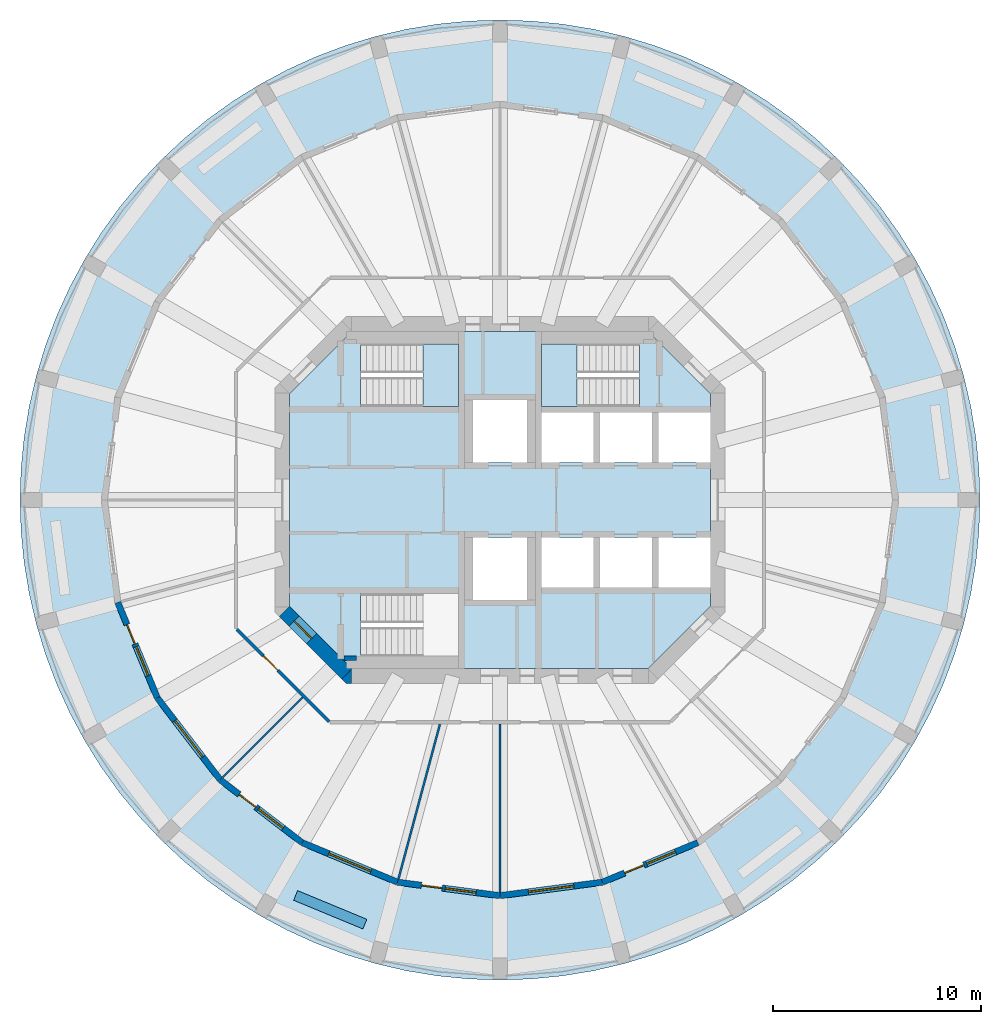
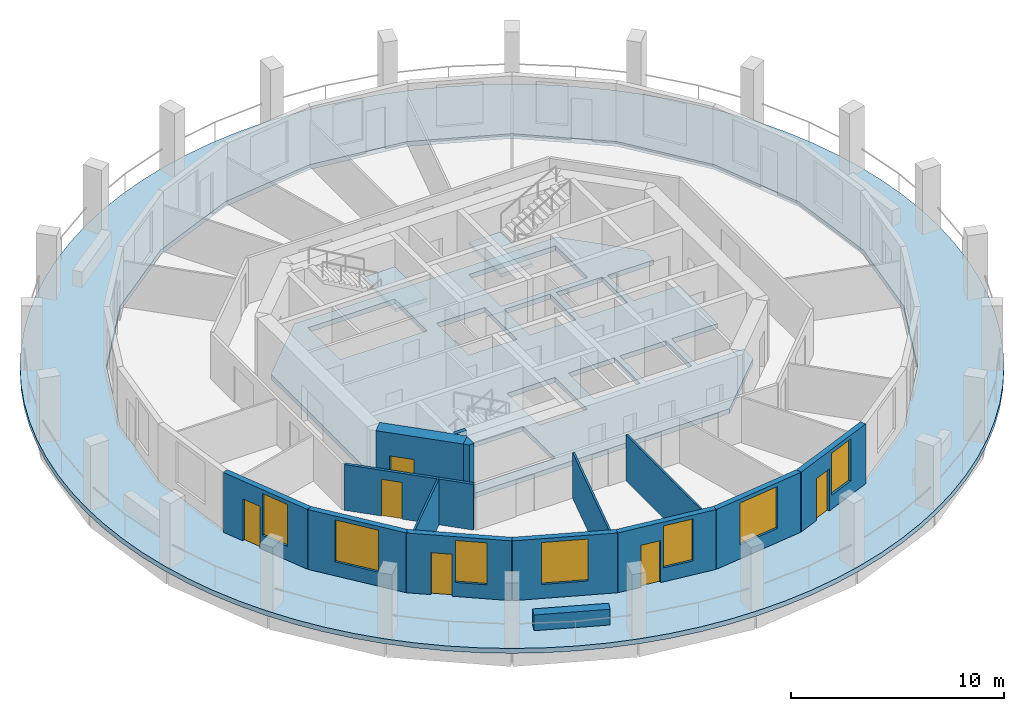
# One storey, part 2 of 9: 15 walls, 7 windows, 6 doors, 4 slabs, 13 openings, 2 elements without a shape of their own.
"""IFC4 building model written with IfcOpenShell, lengths in metres."""

from ifc_helpers import new_model, si_unit, direction, frame, frame_2d, origin, place, context, subcontext, project, spatial, polyline, rectangle, outline, extrude, material, layer, layer_set, type_object, element, fill, aggregate, save


model = new_model("IFC4")

# Units and contexts
model_context = context("Model", 3, precision=1e-05, world=origin(), true_north=direction((0.0, 1.0)))
body_context = subcontext(model_context, "Body", "Model", "MODEL_VIEW")
ifc_project = project(units=[si_unit("LENGTHUNIT", "METRE"), si_unit("AREAUNIT", "SQUARE_METRE"), si_unit("VOLUMEUNIT", "CUBIC_METRE"), si_unit("PLANEANGLEUNIT", "RADIAN"), si_unit("MASSUNIT", "GRAM", prefix="KILO")], contexts=[model_context])

# Site, building, storey
site_placement = place(None, origin())
site = spatial("IfcSite", under=ifc_project, at=site_placement, CompositionType="ELEMENT")
building_placement = place(site_placement, origin())
building = spatial("IfcBuilding", under=site, at=building_placement, Name="Torre Triforio", CompositionType="ELEMENT")
storey_placement = place(building_placement, frame((0.0, 0.0, 176.39990234375)))
storey = spatial("IfcBuildingStorey", under=building, at=storey_placement, Name="L40", CompositionType="ELEMENT", Elevation=176.39990234375)

# Slabs
ifc_material_1 = material(Name="Concrete C50", Category="concrete")
ifc_layer_1 = layer(ifc_material_1, 0.280029296875)
ifc_layer_set_1 = layer_set([ifc_layer_1], Name="Concrete C50")
slab_type_1 = type_object("IfcSlabType", Name="Core floor slab 280 mm C50 REI 120", PredefinedType="FLOOR", material=ifc_layer_set_1)
slab_1_placement = place(storey_placement, frame((0.0, 0.0, -0.27978515625)))
element("IfcSlab", 1, at=slab_1_placement, inside=storey, type_object=slab_type_1, Name="Core floor slab", PredefinedType="FLOOR", context=body_context, shape_type="SweptSolid", body=[
    extrude(outline(polyline([(10.10009765625, -5.10009765625), (7.10009765625, -8.10009765625), (-7.10009765625, -8.10009765625), (-10.10009765625, -5.10009765625), (-10.10009765625, 5.10009765625), (-7.10009765625, 8.10009765625), (7.10009765625, 8.10009765625), (10.10009765625, 5.10009765625), (10.10009765625, 4.199951171875), (7.60009765625, 4.199951171875), (7.60009765625, 1.800048828125), (10.10009765625, 1.800048828125), (10.10009765625, -1.800048828125), (7.60009765625, -1.800048828125), (7.60009765625, -4.199951171875), (10.10009765625, -4.199951171875), (10.10009765625, -5.10009765625)]), holes=[polyline([(-6.696044921875, -4.5), (-6.696044921875, -7.5), (-2.0, -7.5), (-2.0, -4.5), (-6.696044921875, -4.5)]), polyline([(-1.300048828125, -1.800048828125), (-1.300048828125, -4.800048828125), (1.300048828125, -4.800048828125), (1.300048828125, -1.800048828125), (-1.300048828125, -1.800048828125)]), polyline([(2.0, -1.800048828125), (2.0, -4.199951171875), (4.5, -4.199951171875), (4.5, -1.800048828125), (2.0, -1.800048828125)]), polyline([(4.5, 4.199951171875), (2.0, 4.199951171875), (2.0, 1.800048828125), (4.5, 1.800048828125), (4.5, 4.199951171875)]), polyline([(1.300048828125, 4.800048828125), (-1.300048828125, 4.800048828125), (-1.300048828125, 1.800048828125), (1.300048828125, 1.800048828125), (1.300048828125, 4.800048828125)]), polyline([(-6.696044921875, 7.5), (-6.696044921875, 4.5), (-2.0, 4.5), (-2.0, 7.5), (-6.696044921875, 7.5)]), polyline([(7.300048828125, -1.800048828125), (4.800048828125, -1.800048828125), (4.800048828125, -4.199951171875), (7.300048828125, -4.199951171875), (7.300048828125, -1.800048828125)]), polyline([(4.800048828125, 4.199951171875), (4.800048828125, 1.800048828125), (7.300048828125, 1.800048828125), (7.300048828125, 4.199951171875), (4.800048828125, 4.199951171875)]), polyline([(6.696044921875, 7.5), (2.0, 7.5), (2.0, 4.5), (6.696044921875, 4.5), (6.696044921875, 7.5)])]), origin(), (0.0, 0.0, 1.0), 0.27978515625),
])
ifc_material_2 = material(Name="Concrete C40", Category="concrete")
ifc_layer_2 = layer(ifc_material_2, 0.280029296875)
ifc_layer_set_2 = layer_set([ifc_layer_2], Name="Concrete C40")
slab_type_2 = type_object("IfcSlabType", Name="Loggia slab 280 C40", PredefinedType="FLOOR", material=ifc_layer_set_2)
slab_2_placement = place(storey_placement, frame((0.0, 0.0, -0.27978515625)))
element("IfcSlab", 2, at=slab_2_placement, inside=storey, type_object=slab_type_2, Name="SL.L40.LG", PredefinedType="FLOOR", context=body_context, shape_type="SweptSolid", body=[
    extrude(outline(polyline([(23.000732421875, -1.507568359375), (23.050048828125, 0.0), (23.000732421875, 1.507568359375), (22.852783203125, 3.008544921875), (22.607177734375, 4.496826171875), (22.2646484375, 5.9658203125), (21.82666015625, 7.4091796875), (21.29541015625, 8.82080078125), (20.6728515625, 10.19482421875), (19.9619140625, 11.52490234375), (19.165283203125, 12.805908203125), (18.286865234375, 14.031982421875), (17.329833984375, 15.197998046875), (16.298828125, 16.298828125), (15.197998046875, 17.329833984375), (14.031982421875, 18.286865234375), (12.805908203125, 19.165283203125), (11.52490234375, 19.9619140625), (10.19482421875, 20.6728515625), (8.82080078125, 21.29541015625), (7.4091796875, 21.82666015625), (5.9658203125, 22.2646484375), (4.496826171875, 22.607177734375), (3.008544921875, 22.852783203125), (1.507568359375, 23.000732421875), (0.0, 23.050048828125), (-1.507568359375, 23.000732421875), (-3.008544921875, 22.852783203125), (-4.496826171875, 22.607177734375), (-5.9658203125, 22.2646484375), (-7.4091796875, 21.82666015625), (-8.82080078125, 21.29541015625), (-10.19482421875, 20.6728515625), (-11.52490234375, 19.9619140625), (-12.805908203125, 19.165283203125), (-14.031982421875, 18.286865234375), (-15.197998046875, 17.329833984375), (-16.298828125, 16.298828125), (-17.329833984375, 15.197998046875), (-18.286865234375, 14.031982421875), (-19.165283203125, 12.805908203125), (-19.9619140625, 11.52490234375), (-20.6728515625, 10.19482421875), (-21.29541015625, 8.82080078125), (-21.82666015625, 7.4091796875), (-22.2646484375, 5.9658203125), (-22.607177734375, 4.496826171875), (-22.852783203125, 3.008544921875), (-23.000732421875, 1.507568359375), (-23.050048828125, 0.0), (-23.000732421875, -1.507568359375), (-22.852783203125, -3.008544921875), (-22.607177734375, -4.496826171875), (-22.2646484375, -5.9658203125), (-21.82666015625, -7.4091796875), (-21.29541015625, -8.82080078125), (-20.6728515625, -10.19482421875), (-19.9619140625, -11.52490234375), (-19.165283203125, -12.805908203125), (-18.286865234375, -14.031982421875), (-17.329833984375, -15.197998046875), (-16.298828125, -16.298828125), (-15.197998046875, -17.329833984375), (-14.031982421875, -18.286865234375), (-12.805908203125, -19.165283203125), (-11.52490234375, -19.9619140625), (-10.19482421875, -20.6728515625), (-8.82080078125, -21.29541015625), (-7.4091796875, -21.82666015625), (-5.9658203125, -22.2646484375), (-4.496826171875, -22.607177734375), (-3.008544921875, -22.852783203125), (-1.507568359375, -23.000732421875), (0.0, -23.050048828125), (1.507568359375, -23.000732421875), (3.008544921875, -22.852783203125), (4.496826171875, -22.607177734375), (5.9658203125, -22.2646484375), (7.4091796875, -21.82666015625), (8.82080078125, -21.29541015625), (10.19482421875, -20.6728515625), (11.52490234375, -19.9619140625), (12.805908203125, -19.165283203125), (14.031982421875, -18.286865234375), (15.197998046875, -17.329833984375), (16.298828125, -16.298828125), (17.329833984375, -15.197998046875), (18.286865234375, -14.031982421875), (19.165283203125, -12.805908203125), (19.9619140625, -11.52490234375), (20.6728515625, -10.19482421875), (21.29541015625, -8.82080078125), (21.82666015625, -7.4091796875), (22.2646484375, -5.9658203125), (22.607177734375, -4.496826171875), (22.852783203125, -3.008544921875), (23.000732421875, -1.507568359375)]), holes=[polyline([(18.3525390625, 4.91748046875), (19.0, 0.0), (18.3525390625, -4.91748046875), (16.45458984375, -9.5), (13.43505859375, -13.43505859375), (9.5, -16.45458984375), (4.91748046875, -18.3525390625), (0.0, -19.0), (-4.91748046875, -18.3525390625), (-9.5, -16.45458984375), (-13.43505859375, -13.43505859375), (-16.45458984375, -9.5), (-18.3525390625, -4.91748046875), (-19.0, 0.0), (-18.3525390625, 4.91748046875), (-16.45458984375, 9.5), (-13.43505859375, 13.43505859375), (-9.5, 16.45458984375), (-4.91748046875, 18.3525390625), (0.0, 19.0), (4.91748046875, 18.3525390625), (9.5, 16.45458984375), (13.43505859375, 13.43505859375), (16.45458984375, 9.5), (18.3525390625, 4.91748046875)])]), origin(), (0.0, 0.0, 1.0), 0.27978515625),
])

# Stair, slab
stair_type = type_object("IfcStairType", Name="STAIR HALF-TURN", PredefinedType="HALF_TURN_STAIR", material=ifc_material_2)
stair_1_placement = place(storey_placement, origin())
stair_1 = element("IfcStair", 3, at=stair_1_placement, inside=storey, type_object=stair_type, Name="Exit stair 1", PredefinedType="HALF_TURN_STAIR")
ifc_layer_3 = layer(ifc_material_2, 0.199951171875)
ifc_layer_set_3 = layer_set([ifc_layer_3], Name="Concrete C40")
slab_type_3 = type_object("IfcSlabType", Name="STAIR LANDING 200", PredefinedType="LANDING", material=ifc_layer_set_3)
slab_3_placement = place(storey_placement, frame((0.0, 0.0, 1.650146484375)))
slab_3 = element("IfcSlab", 4, at=slab_3_placement, type_object=slab_type_3, Name="ST1 landing 1", PredefinedType="LANDING", context=body_context, shape_type="SweptSolid", body=[
    extrude(outline(polyline([(-2.0, 4.5), (-2.0, 7.5), (-3.699951171875, 7.5), (-3.699951171875, 4.5), (-2.0, 4.5)])), origin(), (0.0, 0.0, 1.0), 0.199951171875),
])
aggregate(stair_1, [slab_3])

stair_2_placement = place(storey_placement, origin())
stair_2 = element("IfcStair", 5, at=stair_2_placement, inside=storey, type_object=stair_type, Name="Exit stair 2", PredefinedType="HALF_TURN_STAIR")
slab_4_placement = place(storey_placement, frame((0.0, 0.0, 1.650146484375)))
slab_4 = element("IfcSlab", 6, at=slab_4_placement, type_object=slab_type_3, Name="ST2 landing 1", PredefinedType="LANDING", context=body_context, shape_type="SweptSolid", body=[
    extrude(outline(polyline([(3.699951171875, 4.5), (3.699951171875, 7.5), (2.0, 7.5), (2.0, 4.5), (3.699951171875, 4.5)])), origin(), (0.0, 0.0, 1.0), 0.199951171875),
])
aggregate(stair_2, [slab_4])

# Wall, opening, door
ifc_layer_4 = layer(ifc_material_1, 0.699951171875)
ifc_layer_set_4 = layer_set([ifc_layer_4], Name="Concrete C50")
wall_type_1 = type_object("IfcWallType", Name="Core wall 700 mm C50 EI 120", PredefinedType="SHEAR", material=ifc_layer_set_4)
wall_1_placement = place(storey_placement, frame((-7.347412109375, -8.347412109375, -0.27978515625), z_axis=(0.0, 0.0, 1.0), x_axis=(-0.707106781187, 0.707106781187, 0.0)))
wall_1 = element("IfcWall", 7, at=wall_1_placement, inside=storey, type_object=wall_type_1, Name="Core wall", PredefinedType="SHEAR", context=body_context, shape_type="SweptSolid", body=[
    extrude(rectangle(XDim=4.24267578125, YDim=0.699951171875, at=frame_2d((2.121337890625, 0.0))), origin(), (0.0, 0.0, 1.0), 3.699951171875),
])
opening_1_placement = place(wall_1_placement, frame((2.392578125, 0.0, 0.280029296875)))
opening_1 = element("IfcOpeningElement", 8, at=opening_1_placement, cuts=wall_1, Name="Opening ST3-EXIT", PredefinedType="OPENING", context=body_context, shape_type="SweptSolid", body=[
    extrude(rectangle(XDim=1.199951171875, YDim=2.10009765625, at=frame_2d((0.60009765625, 1.050048828125))), frame((0.0, 0.35986328125, 0.0), z_axis=(0.0, -1.0, 0.0), x_axis=(1.0, 0.0, 0.0)), (0.0, 0.0, 1.0), 0.719970703125),
])
ifc_material_3 = material(Name="Hollow metal fire door leaf")
door_type_1 = type_object("IfcDoorType", Name="Stair lobby door 1200 x 2100 EI 60", OperationType="NOTDEFINED", PredefinedType="DOOR", material=ifc_material_3)
door_1_placement = place(opening_1_placement, origin())
door_1 = element("IfcDoor", 9, at=door_1_placement, inside=storey, type_object=door_type_1, Name="Core door ST3-EXIT", OperationType="SINGLE_SWING_RIGHT", OverallHeight=2.10009765625, OverallWidth=1.199951171875, PredefinedType="DOOR", context=body_context, shape_type="SweptSolid", body=[
    extrude(rectangle(XDim=1.199951171875, YDim=2.10009765625, at=frame_2d((0.60009765625, 1.050048828125))), frame((0.0, 0.02490234375, 0.0), z_axis=(0.0, -1.0, 0.0), x_axis=(1.0, 0.0, 0.0)), (0.0, 0.0, 1.0), 0.050048828125),
])
fill(opening_1, door_1)

# Wall
wall_2_placement = place(storey_placement, frame((0.0, 0.0, -0.27978515625)))
element("IfcWall", 10, at=wall_2_placement, inside=storey, type_object=wall_type_1, Name="Core wall", PredefinedType="SHEAR", context=body_context, shape_type="SweptSolid", body=[
    extrude(outline(polyline([(-7.389892578125, -8.800048828125), (-7.594970703125, -8.594970703125), (-7.594970703125, -8.594970703125), (-7.594970703125, -8.594970703125), (-7.1298828125, -8.1298828125), (-7.1298828125, -8.800048828125), (-7.1298828125, -8.800048828125), (-7.389892578125, -8.800048828125)])), origin(), (0.0, 0.0, 1.0), 3.699951171875),
])

# Wall, opening, door
ifc_material_4 = material(Name="Plasterboard on metal studs")
ifc_layer_5 = layer(ifc_material_4, 0.14990234375)
ifc_layer_set_5 = layer_set([ifc_layer_5], Name="Plasterboard on metal studs")
wall_type_2 = type_object("IfcWallType", Name="Corridor and tenancy wall 150 mm EI 60", PredefinedType="PARTITIONING", material=ifc_layer_set_5)
wall_3_placement = place(storey_placement, frame((-8.20361328125, -10.637939453125, 0.0), z_axis=(0.0, 0.0, 1.0), x_axis=(-0.707106781187, 0.707106781187, 0.0)))
wall_3 = element("IfcWall", 11, at=wall_3_placement, inside=storey, type_object=wall_type_2, Name="Partition 3", PredefinedType="PARTITIONING", context=body_context, shape_type="SweptSolid", body=[
    extrude(rectangle(XDim=6.27099609375, YDim=0.14990234375, at=frame_2d((3.135498046875, 0.0))), origin(), (0.0, 0.0, 1.0), 2.6201171875),
])
opening_2_placement = place(wall_3_placement, frame((3.470947265625, 0.0, 0.0)))
opening_2 = element("IfcOpeningElement", 12, at=opening_2_placement, cuts=wall_3, Name="Opening O3-03", PredefinedType="OPENING", context=body_context, shape_type="SweptSolid", body=[
    extrude(rectangle(XDim=1.0, YDim=2.10009765625, at=frame_2d((0.5, 1.050048828125))), frame((0.0, 0.0849609375, 0.0), z_axis=(0.0, -1.0, 0.0), x_axis=(1.0, 0.0, 0.0)), (0.0, 0.0, 1.0), 0.169921875),
])
ifc_material_5 = material(Name="Timber", Category="wood")
door_type_2 = type_object("IfcDoorType", Name="Door 1000 x 2100 single leaf EI 30", OperationType="NOTDEFINED", PredefinedType="DOOR", material=ifc_material_5)
door_2_placement = place(opening_2_placement, origin())
door_2 = element("IfcDoor", 13, at=door_2_placement, inside=storey, type_object=door_type_2, Name="Door O3-03", OperationType="SINGLE_SWING_RIGHT", OverallHeight=2.10009765625, OverallWidth=1.0, PredefinedType="DOOR", context=body_context, shape_type="SweptSolid", body=[
    extrude(rectangle(XDim=1.0, YDim=2.10009765625, at=frame_2d((0.5, 1.050048828125))), frame((0.0, 0.02490234375, 0.0), z_axis=(0.0, -1.0, 0.0), x_axis=(1.0, 0.0, 0.0)), (0.0, 0.0, 1.0), 0.050048828125),
])
fill(opening_2, door_2)

# Walls
ifc_layer_6 = layer(ifc_material_4, 0.10009765625)
ifc_layer_set_6 = layer_set([ifc_layer_6], Name="Plasterboard on metal studs")
wall_type_3 = type_object("IfcWallType", Name="Partition 100 mm board on metal studs", PredefinedType="PARTITIONING", material=ifc_layer_set_6)
wall_4_placement = place(storey_placement, frame((-9.473876953125, -9.473876953125, 0.0), z_axis=(0.0, 0.0, 1.0), x_axis=(-0.707106781187, -0.707106781187, 0.0)))
element("IfcWall", 14, at=wall_4_placement, inside=storey, type_object=wall_type_3, Name="Partition 17", PredefinedType="PARTITIONING", context=body_context, shape_type="SweptSolid", body=[
    extrude(rectangle(XDim=5.438720703125, YDim=0.10009765625, at=frame_2d((2.71923828125, 0.0))), origin(), (0.0, 0.0, 1.0), 2.6201171875),
])
wall_5_placement = place(storey_placement, frame((-2.88427734375, -10.764404296875, 0.0), z_axis=(0.0, 0.0, 1.0), x_axis=(-0.25881804804, -0.965926093451, 0.0)))
element("IfcWall", 15, at=wall_5_placement, inside=storey, type_object=wall_type_3, Name="Partition 18", PredefinedType="PARTITIONING", context=body_context, shape_type="SweptSolid", body=[
    extrude(rectangle(XDim=7.692626953125, YDim=0.10009765625, at=frame_2d((3.84619140625, 0.0))), origin(), (0.0, 0.0, 1.0), 2.6201171875),
])
wall_6_placement = place(storey_placement, frame((0.0, -10.75, 0.0), z_axis=(0.0, 0.0, 1.0), x_axis=(0.0, -1.0, 0.0)))
element("IfcWall", 16, at=wall_6_placement, inside=storey, type_object=wall_type_3, Name="Partition 19", PredefinedType="PARTITIONING", context=body_context, shape_type="SweptSolid", body=[
    extrude(rectangle(XDim=8.086669921875, YDim=0.10009765625, at=frame_2d((4.04345703125, 0.0))), origin(), (0.0, 0.0, 1.0), 2.6201171875),
])
ifc_material_6 = material(Name="Limestone cladding", Category="masonry")
ifc_layer_7 = layer(ifc_material_6, 0.10009765625)
ifc_layer_8 = layer(ifc_material_2, 0.39990234375)
ifc_layer_set_7 = layer_set([ifc_layer_7, ifc_layer_8], Name="Limestone cladding / Concrete C40")
wall_type_4 = type_object("IfcWallType", Name="Planter wall 500", PredefinedType="PARAPET", material=ifc_layer_set_7)
wall_7_placement = place(storey_placement, frame((-9.814208984375, -18.98974609375, 0.0), z_axis=(0.0, 0.0, 1.0), x_axis=(0.923875488976, -0.382693194178, 0.0)))
element("IfcWall", 17, at=wall_7_placement, inside=storey, type_object=wall_type_4, Name="Planter L40 bay 17", PredefinedType="PARAPET", context=body_context, shape_type="SweptSolid", body=[
    extrude(rectangle(XDim=3.599853515625, YDim=0.5, at=frame_2d((1.7998046875, 0.0))), origin(), (0.0, 0.0, 1.0), 0.900146484375),
])
ifc_layer_9 = layer(ifc_material_1, 0.199951171875)
ifc_layer_set_8 = layer_set([ifc_layer_9], Name="Concrete C50")
wall_type_5 = type_object("IfcWallType", Name="Stair wall 200 mm C50 EI 120", PredefinedType="SHEAR", material=ifc_layer_set_8)
wall_8_placement = place(storey_placement, frame((-7.5, -7.60009765625, 0.0), z_axis=(0.0, 0.0, 1.0), x_axis=(1.0, 0.0, 0.0)))
element("IfcWall", 18, at=wall_8_placement, inside=storey, type_object=wall_type_5, Name="Stair wall", PredefinedType="SHEAR", context=body_context, shape_type="SweptSolid", body=[
    extrude(rectangle(XDim=0.60009765625, YDim=0.199951171875, at=frame_2d((0.300048828125, 0.0))), origin(), (0.0, 0.0, 1.0), 3.420166015625),
])

# Wall, openings, door, window
ifc_layer_10 = layer(ifc_material_6, 0.10009765625)
ifc_layer_11 = layer(ifc_material_2, 0.199951171875)
ifc_layer_set_9 = layer_set([ifc_layer_10, ifc_layer_11], Name="Limestone cladding / Concrete C40")
wall_type_6 = type_object("IfcWallType", Name="Stone-faced composite wall 300", PredefinedType="STANDARD", material=ifc_layer_set_9)
wall_9_placement = place(storey_placement, frame((-18.3525390625, -4.91748046875, 0.0), z_axis=(0.0, 0.0, 1.0), x_axis=(0.382650301762, -0.923893254961, 0.0)))
wall_9 = element("IfcWall", 19, at=wall_9_placement, inside=storey, type_object=wall_type_6, Name="External wall L40 bay 14", PredefinedType="STANDARD", context=body_context, shape_type="SweptSolid", body=[
    extrude(rectangle(XDim=4.9599609375, YDim=0.300048828125, at=frame_2d((2.47998046875, 0.0))), origin(), (0.0, 0.0, 1.0), 3.420166015625),
])
opening_3_placement = place(wall_9_placement, frame((1.155029296875, 0.0, 0.0)))
opening_3 = element("IfcOpeningElement", 20, at=opening_3_placement, cuts=wall_9, Name="Opening O3-D14", PredefinedType="OPENING", context=body_context, shape_type="SweptSolid", body=[
    extrude(rectangle(XDim=1.0, YDim=2.39990234375, at=frame_2d((0.5, 1.199951171875))), frame((0.0, 0.159912109375, 0.0), z_axis=(0.0, -1.0, 0.0), x_axis=(1.0, 0.0, 0.0)), (0.0, 0.0, 1.0), 0.320068359375),
])
opening_4_placement = place(wall_9_placement, frame((2.304931640625, 0.0, 0.800048828125)))
opening_4 = element("IfcOpeningElement", 21, at=opening_4_placement, cuts=wall_9, Name="Opening O3-W14A", PredefinedType="OPENING", context=body_context, shape_type="SweptSolid", body=[
    extrude(rectangle(XDim=1.5, YDim=2.39990234375, at=frame_2d((0.75, 1.199951171875))), frame((0.0, 0.159912109375, 0.0), z_axis=(0.0, -1.0, 0.0), x_axis=(1.0, 0.0, 0.0)), (0.0, 0.0, 1.0), 0.320068359375),
])
ifc_material_7 = material(Name="Aluminium frame with clear double glazing", Category="aluminium")
door_type_3 = type_object("IfcDoorType", Name="Loggia door 1000 x 2400", OperationType="NOTDEFINED", PredefinedType="DOOR", material=ifc_material_7)
door_3_placement = place(opening_3_placement, origin())
door_3 = element("IfcDoor", 22, at=door_3_placement, inside=storey, type_object=door_type_3, Name="Loggia door L40 bay 14", OperationType="SINGLE_SWING_LEFT", OverallHeight=2.39990234375, OverallWidth=1.0, PredefinedType="DOOR", context=body_context, shape_type="SweptSolid", body=[
    extrude(rectangle(XDim=1.0, YDim=2.39990234375, at=frame_2d((0.5, 1.199951171875))), frame((0.0, 0.02490234375, 0.0), z_axis=(0.0, -1.0, 0.0), x_axis=(1.0, 0.0, 0.0)), (0.0, 0.0, 1.0), 0.050048828125),
])
fill(opening_3, door_3)
window_type_1 = type_object("IfcWindowType", Name="Side window 1500 x 2400", PartitioningType="SINGLE_PANEL", PredefinedType="WINDOW", material=ifc_material_7)
window_1_placement = place(opening_4_placement, origin())
window_1 = element("IfcWindow", 23, at=window_1_placement, inside=storey, type_object=window_type_1, Name="Side window EWN14 L40 bay 14", OverallHeight=2.39990234375, OverallWidth=1.5, PartitioningType="SINGLE_PANEL", PredefinedType="WINDOW", context=body_context, shape_type="SweptSolid", body=[
    extrude(rectangle(XDim=1.5, YDim=2.39990234375, at=frame_2d((0.75, 1.199951171875))), frame((0.0, 0.030029296875, 0.0), z_axis=(0.0, -1.0, 0.0), x_axis=(1.0, 0.0, 0.0)), (0.0, 0.0, 1.0), 0.06005859375),
])
fill(opening_4, window_1)

# Wall, opening, window
wall_10_placement = place(storey_placement, frame((-16.45458984375, -9.5, 0.0), z_axis=(0.0, 0.0, 1.0), x_axis=(0.608768356425, -0.793348024649, 0.0)))
wall_10 = element("IfcWall", 24, at=wall_10_placement, inside=storey, type_object=wall_type_6, Name="External wall L40 bay 15", PredefinedType="STANDARD", context=body_context, shape_type="SweptSolid", body=[
    extrude(rectangle(XDim=4.9599609375, YDim=0.300048828125, at=frame_2d((2.47998046875, 0.0))), origin(), (0.0, 0.0, 1.0), 3.420166015625),
])
opening_5_placement = place(wall_10_placement, frame((1.3798828125, 0.0, 0.800048828125)))
opening_5 = element("IfcOpeningElement", 25, at=opening_5_placement, cuts=wall_10, Name="Opening O3-W15", PredefinedType="OPENING", context=body_context, shape_type="SweptSolid", body=[
    extrude(rectangle(XDim=2.199951171875, YDim=2.39990234375, at=frame_2d((1.10009765625, 1.199951171875))), frame((0.0, 0.159912109375, 0.0), z_axis=(0.0, -1.0, 0.0), x_axis=(1.0, 0.0, 0.0)), (0.0, 0.0, 1.0), 0.320068359375),
])
window_type_2 = type_object("IfcWindowType", Name="Punched window 2200 x 2400", PartitioningType="DOUBLE_PANEL_VERTICAL", PredefinedType="WINDOW", material=ifc_material_7)
window_2_placement = place(opening_5_placement, origin())
window_2 = element("IfcWindow", 26, at=window_2_placement, inside=storey, type_object=window_type_2, Name="Window EWN5 L40 bay 15", OverallHeight=2.39990234375, OverallWidth=2.199951171875, PartitioningType="SINGLE_PANEL", PredefinedType="WINDOW", context=body_context, shape_type="SweptSolid", body=[
    extrude(rectangle(XDim=2.199951171875, YDim=2.39990234375, at=frame_2d((1.10009765625, 1.199951171875))), frame((0.0, 0.030029296875, 0.0), z_axis=(0.0, -1.0, 0.0), x_axis=(1.0, 0.0, 0.0)), (0.0, 0.0, 1.0), 0.06005859375),
])
fill(opening_5, window_2)

# Wall, openings, door, window
wall_11_placement = place(storey_placement, frame((-13.43505859375, -13.43505859375, 0.0), z_axis=(0.0, 0.0, 1.0), x_axis=(0.793348024649, -0.608768356425, 0.0)))
wall_11 = element("IfcWall", 27, at=wall_11_placement, inside=storey, type_object=wall_type_6, Name="External wall L40 bay 16", PredefinedType="STANDARD", context=body_context, shape_type="SweptSolid", body=[
    extrude(rectangle(XDim=4.9599609375, YDim=0.300048828125, at=frame_2d((2.47998046875, 0.0))), origin(), (0.0, 0.0, 1.0), 3.420166015625),
])
opening_6_placement = place(wall_11_placement, frame((1.155029296875, 0.0, 0.0)))
opening_6 = element("IfcOpeningElement", 28, at=opening_6_placement, cuts=wall_11, Name="Opening O3-D16", PredefinedType="OPENING", context=body_context, shape_type="SweptSolid", body=[
    extrude(rectangle(XDim=1.0, YDim=2.39990234375, at=frame_2d((0.5, 1.199951171875))), frame((0.0, 0.159912109375, 0.0), z_axis=(0.0, -1.0, 0.0), x_axis=(1.0, 0.0, 0.0)), (0.0, 0.0, 1.0), 0.320068359375),
])
opening_7_placement = place(wall_11_placement, frame((2.304931640625, 0.0, 0.800048828125)))
opening_7 = element("IfcOpeningElement", 29, at=opening_7_placement, cuts=wall_11, Name="Opening O3-W16A", PredefinedType="OPENING", context=body_context, shape_type="SweptSolid", body=[
    extrude(rectangle(XDim=1.5, YDim=2.39990234375, at=frame_2d((0.75, 1.199951171875))), frame((0.0, 0.159912109375, 0.0), z_axis=(0.0, -1.0, 0.0), x_axis=(1.0, 0.0, 0.0)), (0.0, 0.0, 1.0), 0.320068359375),
])
door_4_placement = place(opening_6_placement, origin())
door_4 = element("IfcDoor", 30, at=door_4_placement, inside=storey, type_object=door_type_3, Name="Loggia door L40 bay 16", OperationType="SINGLE_SWING_LEFT", OverallHeight=2.39990234375, OverallWidth=1.0, PredefinedType="DOOR", context=body_context, shape_type="SweptSolid", body=[
    extrude(rectangle(XDim=1.0, YDim=2.39990234375, at=frame_2d((0.5, 1.199951171875))), frame((0.0, 0.02490234375, 0.0), z_axis=(0.0, -1.0, 0.0), x_axis=(1.0, 0.0, 0.0)), (0.0, 0.0, 1.0), 0.050048828125),
])
fill(opening_6, door_4)
window_3_placement = place(opening_7_placement, origin())
window_3 = element("IfcWindow", 31, at=window_3_placement, inside=storey, type_object=window_type_1, Name="Side window EWN14 L40 bay 16", OverallHeight=2.39990234375, OverallWidth=1.5, PartitioningType="SINGLE_PANEL", PredefinedType="WINDOW", context=body_context, shape_type="SweptSolid", body=[
    extrude(rectangle(XDim=1.5, YDim=2.39990234375, at=frame_2d((0.75, 1.199951171875))), frame((0.0, 0.030029296875, 0.0), z_axis=(0.0, -1.0, 0.0), x_axis=(1.0, 0.0, 0.0)), (0.0, 0.0, 1.0), 0.06005859375),
])
fill(opening_7, window_3)

# Wall, opening, window
wall_12_placement = place(storey_placement, frame((-9.5, -16.45458984375, 0.0), z_axis=(0.0, 0.0, 1.0), x_axis=(0.923893254961, -0.382650301762, 0.0)))
wall_12 = element("IfcWall", 32, at=wall_12_placement, inside=storey, type_object=wall_type_6, Name="External wall L40 bay 17", PredefinedType="STANDARD", context=body_context, shape_type="SweptSolid", body=[
    extrude(rectangle(XDim=4.9599609375, YDim=0.300048828125, at=frame_2d((2.47998046875, 0.0))), origin(), (0.0, 0.0, 1.0), 3.420166015625),
])
opening_8_placement = place(wall_12_placement, frame((1.3798828125, 0.0, 0.800048828125)))
opening_8 = element("IfcOpeningElement", 33, at=opening_8_placement, cuts=wall_12, Name="Opening O3-W17", PredefinedType="OPENING", context=body_context, shape_type="SweptSolid", body=[
    extrude(rectangle(XDim=2.199951171875, YDim=2.39990234375, at=frame_2d((1.10009765625, 1.199951171875))), frame((0.0, 0.159912109375, 0.0), z_axis=(0.0, -1.0, 0.0), x_axis=(1.0, 0.0, 0.0)), (0.0, 0.0, 1.0), 0.320068359375),
])
window_4_placement = place(opening_8_placement, origin())
window_4 = element("IfcWindow", 34, at=window_4_placement, inside=storey, type_object=window_type_2, Name="Window EWN5 L40 bay 17", OverallHeight=2.39990234375, OverallWidth=2.199951171875, PartitioningType="SINGLE_PANEL", PredefinedType="WINDOW", context=body_context, shape_type="SweptSolid", body=[
    extrude(rectangle(XDim=2.199951171875, YDim=2.39990234375, at=frame_2d((1.10009765625, 1.199951171875))), frame((0.0, 0.030029296875, 0.0), z_axis=(0.0, -1.0, 0.0), x_axis=(1.0, 0.0, 0.0)), (0.0, 0.0, 1.0), 0.06005859375),
])
fill(opening_8, window_4)

# Wall, openings, door, window
wall_13_placement = place(storey_placement, frame((-4.91748046875, -18.3525390625, 0.0), z_axis=(0.0, 0.0, 1.0), x_axis=(0.991443234469, -0.130538549191, 0.0)))
wall_13 = element("IfcWall", 35, at=wall_13_placement, inside=storey, type_object=wall_type_6, Name="External wall L40 bay 18", PredefinedType="STANDARD", context=body_context, shape_type="SweptSolid", body=[
    extrude(rectangle(XDim=4.9599609375, YDim=0.300048828125, at=frame_2d((2.47998046875, 0.0))), origin(), (0.0, 0.0, 1.0), 3.420166015625),
])
opening_9_placement = place(wall_13_placement, frame((1.155029296875, 0.0, 0.0)))
opening_9 = element("IfcOpeningElement", 36, at=opening_9_placement, cuts=wall_13, Name="Opening O3-D18", PredefinedType="OPENING", context=body_context, shape_type="SweptSolid", body=[
    extrude(rectangle(XDim=1.0, YDim=2.39990234375, at=frame_2d((0.5, 1.199951171875))), frame((0.0, 0.159912109375, 0.0), z_axis=(0.0, -1.0, 0.0), x_axis=(1.0, 0.0, 0.0)), (0.0, 0.0, 1.0), 0.320068359375),
])
opening_10_placement = place(wall_13_placement, frame((2.304931640625, 0.0, 0.800048828125)))
opening_10 = element("IfcOpeningElement", 37, at=opening_10_placement, cuts=wall_13, Name="Opening O3-W18A", PredefinedType="OPENING", context=body_context, shape_type="SweptSolid", body=[
    extrude(rectangle(XDim=1.5, YDim=2.39990234375, at=frame_2d((0.75, 1.199951171875))), frame((0.0, 0.159912109375, 0.0), z_axis=(0.0, -1.0, 0.0), x_axis=(1.0, 0.0, 0.0)), (0.0, 0.0, 1.0), 0.320068359375),
])
door_5_placement = place(opening_9_placement, origin())
door_5 = element("IfcDoor", 38, at=door_5_placement, inside=storey, type_object=door_type_3, Name="Loggia door L40 bay 18", OperationType="SINGLE_SWING_LEFT", OverallHeight=2.39990234375, OverallWidth=1.0, PredefinedType="DOOR", context=body_context, shape_type="SweptSolid", body=[
    extrude(rectangle(XDim=1.0, YDim=2.39990234375, at=frame_2d((0.5, 1.199951171875))), frame((0.0, 0.02490234375, 0.0), z_axis=(0.0, -1.0, 0.0), x_axis=(1.0, 0.0, 0.0)), (0.0, 0.0, 1.0), 0.050048828125),
])
fill(opening_9, door_5)
window_5_placement = place(opening_10_placement, origin())
window_5 = element("IfcWindow", 39, at=window_5_placement, inside=storey, type_object=window_type_1, Name="Side window EWN14 L40 bay 18", OverallHeight=2.39990234375, OverallWidth=1.5, PartitioningType="SINGLE_PANEL", PredefinedType="WINDOW", context=body_context, shape_type="SweptSolid", body=[
    extrude(rectangle(XDim=1.5, YDim=2.39990234375, at=frame_2d((0.75, 1.199951171875))), frame((0.0, 0.030029296875, 0.0), z_axis=(0.0, -1.0, 0.0), x_axis=(1.0, 0.0, 0.0)), (0.0, 0.0, 1.0), 0.06005859375),
])
fill(opening_10, window_5)

# Wall, opening, window
wall_14_placement = place(storey_placement, frame((0.0, -19.0, 0.0), z_axis=(0.0, 0.0, 1.0), x_axis=(0.991443234469, 0.130538549191, 0.0)))
wall_14 = element("IfcWall", 40, at=wall_14_placement, inside=storey, type_object=wall_type_6, Name="External wall L40 bay 19", PredefinedType="STANDARD", context=body_context, shape_type="SweptSolid", body=[
    extrude(rectangle(XDim=4.9599609375, YDim=0.300048828125, at=frame_2d((2.47998046875, 0.0))), origin(), (0.0, 0.0, 1.0), 3.420166015625),
])
opening_11_placement = place(wall_14_placement, frame((1.3798828125, 0.0, 0.800048828125)))
opening_11 = element("IfcOpeningElement", 41, at=opening_11_placement, cuts=wall_14, Name="Opening O3-W19", PredefinedType="OPENING", context=body_context, shape_type="SweptSolid", body=[
    extrude(rectangle(XDim=2.199951171875, YDim=2.39990234375, at=frame_2d((1.10009765625, 1.199951171875))), frame((0.0, 0.159912109375, 0.0), z_axis=(0.0, -1.0, 0.0), x_axis=(1.0, 0.0, 0.0)), (0.0, 0.0, 1.0), 0.320068359375),
])
window_6_placement = place(opening_11_placement, origin())
window_6 = element("IfcWindow", 42, at=window_6_placement, inside=storey, type_object=window_type_2, Name="Window EWN5 L40 bay 19", OverallHeight=2.39990234375, OverallWidth=2.199951171875, PartitioningType="SINGLE_PANEL", PredefinedType="WINDOW", context=body_context, shape_type="SweptSolid", body=[
    extrude(rectangle(XDim=2.199951171875, YDim=2.39990234375, at=frame_2d((1.10009765625, 1.199951171875))), frame((0.0, 0.030029296875, 0.0), z_axis=(0.0, -1.0, 0.0), x_axis=(1.0, 0.0, 0.0)), (0.0, 0.0, 1.0), 0.06005859375),
])
fill(opening_11, window_6)

# Wall, openings, door, window
wall_15_placement = place(storey_placement, frame((4.91748046875, -18.3525390625, 0.0), z_axis=(0.0, 0.0, 1.0), x_axis=(0.923893254961, 0.382650301762, 0.0)))
wall_15 = element("IfcWall", 43, at=wall_15_placement, inside=storey, type_object=wall_type_6, Name="External wall L40 bay 20", PredefinedType="STANDARD", context=body_context, shape_type="SweptSolid", body=[
    extrude(rectangle(XDim=4.9599609375, YDim=0.300048828125, at=frame_2d((2.47998046875, 0.0))), origin(), (0.0, 0.0, 1.0), 3.420166015625),
])
opening_12_placement = place(wall_15_placement, frame((1.155029296875, 0.0, 0.0)))
opening_12 = element("IfcOpeningElement", 44, at=opening_12_placement, cuts=wall_15, Name="Opening O3-D20", PredefinedType="OPENING", context=body_context, shape_type="SweptSolid", body=[
    extrude(rectangle(XDim=1.0, YDim=2.39990234375, at=frame_2d((0.5, 1.199951171875))), frame((0.0, 0.159912109375, 0.0), z_axis=(0.0, -1.0, 0.0), x_axis=(1.0, 0.0, 0.0)), (0.0, 0.0, 1.0), 0.320068359375),
])
opening_13_placement = place(wall_15_placement, frame((2.304931640625, 0.0, 0.800048828125)))
opening_13 = element("IfcOpeningElement", 45, at=opening_13_placement, cuts=wall_15, Name="Opening O3-W20A", PredefinedType="OPENING", context=body_context, shape_type="SweptSolid", body=[
    extrude(rectangle(XDim=1.5, YDim=2.39990234375, at=frame_2d((0.75, 1.199951171875))), frame((0.0, 0.159912109375, 0.0), z_axis=(0.0, -1.0, 0.0), x_axis=(1.0, 0.0, 0.0)), (0.0, 0.0, 1.0), 0.320068359375),
])
door_6_placement = place(opening_12_placement, origin())
door_6 = element("IfcDoor", 46, at=door_6_placement, inside=storey, type_object=door_type_3, Name="Loggia door L40 bay 20", OperationType="SINGLE_SWING_LEFT", OverallHeight=2.39990234375, OverallWidth=1.0, PredefinedType="DOOR", context=body_context, shape_type="SweptSolid", body=[
    extrude(rectangle(XDim=1.0, YDim=2.39990234375, at=frame_2d((0.5, 1.199951171875))), frame((0.0, 0.02490234375, 0.0), z_axis=(0.0, -1.0, 0.0), x_axis=(1.0, 0.0, 0.0)), (0.0, 0.0, 1.0), 0.050048828125),
])
fill(opening_12, door_6)
window_7_placement = place(opening_13_placement, origin())
window_7 = element("IfcWindow", 47, at=window_7_placement, inside=storey, type_object=window_type_1, Name="Side window EWN14 L40 bay 20", OverallHeight=2.39990234375, OverallWidth=1.5, PartitioningType="SINGLE_PANEL", PredefinedType="WINDOW", context=body_context, shape_type="SweptSolid", body=[
    extrude(rectangle(XDim=1.5, YDim=2.39990234375, at=frame_2d((0.75, 1.199951171875))), frame((0.0, 0.030029296875, 0.0), z_axis=(0.0, -1.0, 0.0), x_axis=(1.0, 0.0, 0.0)), (0.0, 0.0, 1.0), 0.06005859375),
])
fill(opening_13, window_7)

save(model, "model.ifc")
